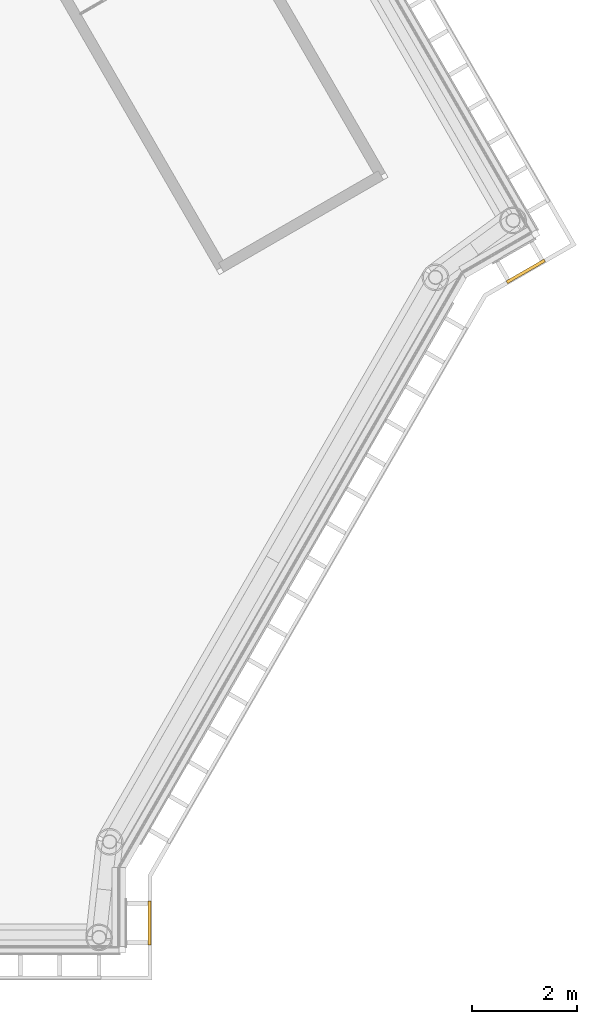
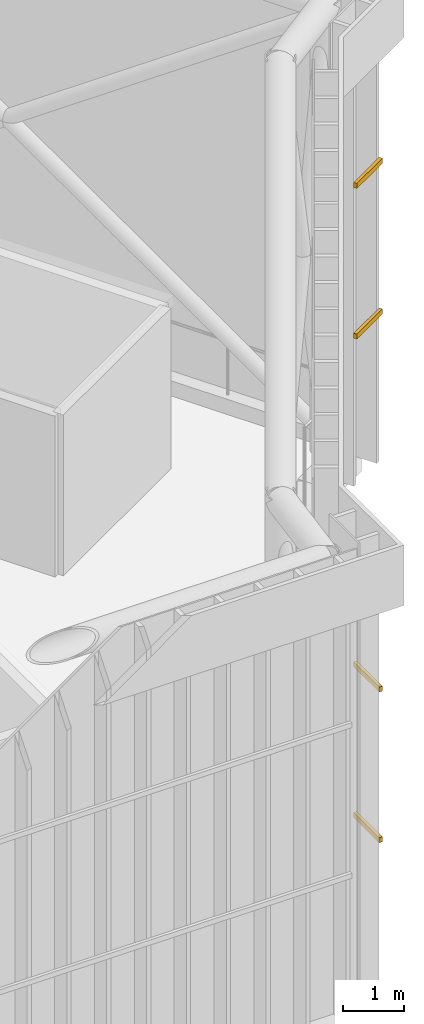
# One storey, part 16 of 17: 4 coverings.
"""IFC4 building model written with IfcOpenShell, lengths in metres."""

from ifc_helpers import new_model, si_unit, direction, frame, origin, origin_2d, place, context, subcontext, project, spatial, rectangle, extrude, material, type_object, element, save


model = new_model("IFC4")

# Units and contexts
model_context = context("Model", 3, precision=1e-05, world=origin(), true_north=direction((0.0, 1.0)))
body_context = subcontext(model_context, "Body", "Model", "MODEL_VIEW")
ifc_project = project(units=[si_unit("LENGTHUNIT", "METRE"), si_unit("AREAUNIT", "SQUARE_METRE"), si_unit("VOLUMEUNIT", "CUBIC_METRE"), si_unit("PLANEANGLEUNIT", "RADIAN"), si_unit("MASSUNIT", "GRAM", prefix="KILO")], contexts=[model_context])

# Site, building, storey
site_placement = place(None, origin())
site = spatial("IfcSite", under=ifc_project, at=site_placement, CompositionType="ELEMENT")
building_placement = place(site_placement, origin())
building = spatial("IfcBuilding", under=site, at=building_placement, Name="Upepo Twin Towers", CompositionType="ELEMENT")
storey_placement = place(building_placement, frame((0.0, 0.0, 296.5)))
storey = spatial("IfcBuildingStorey", under=building, at=storey_placement, Name="RF", CompositionType="ELEMENT", Elevation=296.5)

# Coverings
ifc_material = material(Name="Anodised aluminium, pale silver", Category="aluminium")
covering_type = type_object("IfcCoveringType", Name="Crown screen rail 60x100 pale aluminium", PredefinedType="CLADDING", material=ifc_material)
for number, where, z_axis, x_axis, name in (
    (1, (65.4599609375, -30.283447265625, 2.949951171875), (0.0, 0.0, 1.0), (0.0, 1.0, 0.0), "T2 crown screen rail 13.1"),
    (2, (65.4599609375, -30.283447265625, 5.949951171875), (0.0, 0.0, 1.0), (0.0, 1.0, 0.0), "T2 crown screen rail 13.2"),
    (3, (72.61767578125, -17.885986328125, 2.949951171875), (0.0, 0.0, 1.0), (0.866025456144, 0.49999990931, 0.0), "T2 crown screen rail 15.1"),
    (4, (72.61767578125, -17.885986328125, 5.949951171875), (0.0, 0.0, 1.0), (0.866025456144, 0.49999990931, 0.0), "T2 crown screen rail 15.2"),
):
    element("IfcCovering", number, at=place(storey_placement, frame(where, z_axis=z_axis, x_axis=x_axis)), inside=storey, type_object=covering_type, Name=name, PredefinedType="CLADDING", context=body_context, shape_type="SweptSolid", body=[
        extrude(rectangle(XDim=0.830078125, YDim=0.06005859375, at=origin_2d()), origin(), (0.0, 0.0, 1.0), 0.10009765625),
    ])

save(model, "model.ifc")
